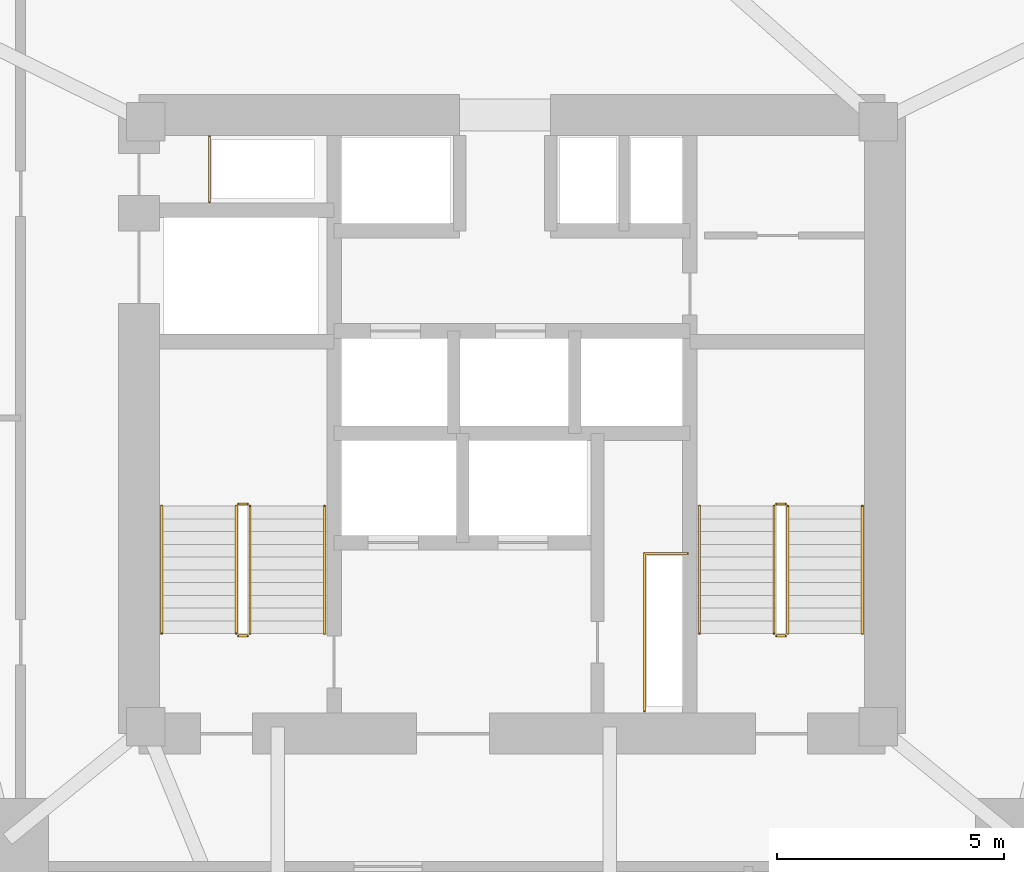
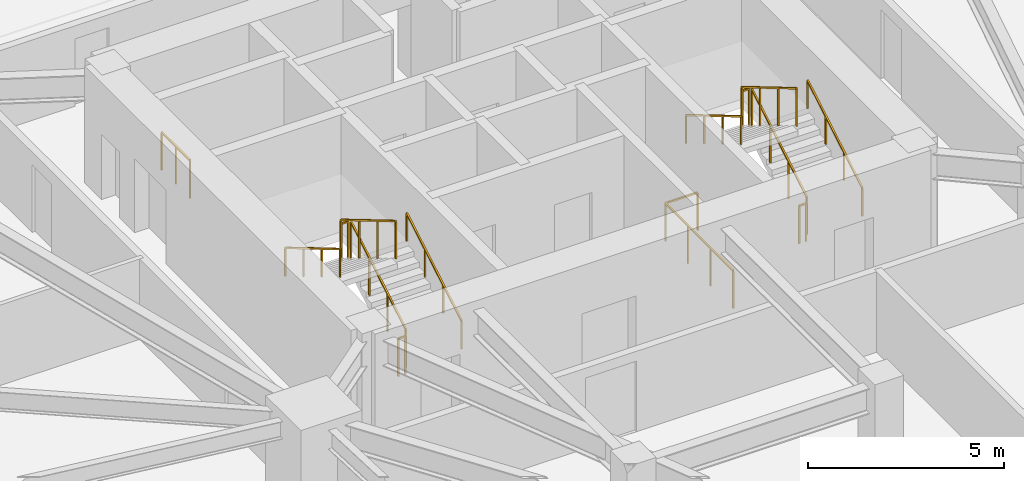
# One storey, part 20 of 21: 14 railings.
"""IFC4 building model written with IfcOpenShell, lengths in metres."""

from ifc_helpers import new_model, si_unit, direction, frame, origin, origin_2d, place, context, subcontext, project, spatial, rectangle, extrude, material, type_object, element, save


model = new_model("IFC4")

# Units and contexts
model_context = context("Model", 3, precision=1e-05, world=origin(), true_north=direction((0.0, 1.0)))
body_context = subcontext(model_context, "Body", "Model", "MODEL_VIEW")
ifc_project = project(units=[si_unit("LENGTHUNIT", "METRE"), si_unit("AREAUNIT", "SQUARE_METRE"), si_unit("VOLUMEUNIT", "CUBIC_METRE"), si_unit("PLANEANGLEUNIT", "RADIAN"), si_unit("MASSUNIT", "GRAM", prefix="KILO")], contexts=[model_context])

# Site, building, storey
site_placement = place(None, origin())
site = spatial("IfcSite", under=ifc_project, at=site_placement, CompositionType="ELEMENT")
building_placement = place(site_placement, origin())
building = spatial("IfcBuilding", under=site, at=building_placement, Name="Talyreon Biosciences Tower", CompositionType="ELEMENT")
storey_placement = place(building_placement, frame((0.0, 0.0, 55.64990234375)))
storey = spatial("IfcBuildingStorey", under=building, at=storey_placement, Name="L14", CompositionType="ELEMENT", Elevation=55.64990234375)

# Railings
ifc_material_1 = material(Name="Brushed stainless-steel tubular handrail", Category="steel")
railing_type_1 = type_object("IfcRailingType", Name="StairWallHandrail_900", PredefinedType="HANDRAIL", material=ifc_material_1)
railing_1_placement = place(storey_placement, frame((61.8798828125, 63.39990234375, 0.166015625)))
element("IfcRailing", 1, at=railing_1_placement, inside=storey, type_object=railing_type_1, Name="L14 ST-1 stair handrail 1", PredefinedType="HANDRAIL", context=body_context, shape_type="SweptSolid", body=[
    extrude(rectangle(XDim=0.048095703125, YDim=0.048095703125, at=origin_2d()), frame((0.0, 0.0, 0.8759765625), z_axis=(0.0, 0.860306154799, 0.50977771628), x_axis=(-1.0, 0.0, 0.0)), (0.0, 0.0, 1.0), 3.254638671875),
    extrude(rectangle(XDim=0.0419921875, YDim=0.0419921875, at=origin_2d()), origin(), (0.0, 0.0, 1.0), 0.851806640625),
    extrude(rectangle(XDim=0.0419921875, YDim=0.0419921875, at=origin_2d()), frame((0.0, 0.933349609375, 0.552978515625)), (0.0, 0.0, 1.0), 0.851806640625),
    extrude(rectangle(XDim=0.0419921875, YDim=0.0419921875, at=origin_2d()), frame((0.0, 1.86669921875, 1.106201171875)), (0.0, 0.0, 1.0), 0.851806640625),
    extrude(rectangle(XDim=0.0419921875, YDim=0.0419921875, at=origin_2d()), frame((0.0, 2.800048828125, 1.6591796875)), (0.0, 0.0, 1.0), 0.851806640625),
])
railing_2_placement = place(storey_placement, frame((58.300048828125, 66.199951171875, 1.990966796875)))
element("IfcRailing", 2, at=railing_2_placement, inside=storey, type_object=railing_type_1, Name="L14 ST-1 stair handrail 2", PredefinedType="HANDRAIL", context=body_context, shape_type="SweptSolid", body=[
    extrude(rectangle(XDim=0.048095703125, YDim=0.048095703125, at=origin_2d()), frame((0.0, 0.0, 0.8759765625), z_axis=(0.0, -0.860306154799, 0.50977771628), x_axis=(1.0, 0.0, 0.0)), (0.0, 0.0, 1.0), 3.254638671875),
    extrude(rectangle(XDim=0.0419921875, YDim=0.0419921875, at=origin_2d()), origin(), (0.0, 0.0, 1.0), 0.851806640625),
    extrude(rectangle(XDim=0.0419921875, YDim=0.0419921875, at=origin_2d()), frame((0.0, -0.933349609375, 0.552978515625)), (0.0, 0.0, 1.0), 0.851806640625),
    extrude(rectangle(XDim=0.0419921875, YDim=0.0419921875, at=origin_2d()), frame((0.0, -1.86669921875, 1.106201171875)), (0.0, 0.0, 1.0), 0.851806640625),
    extrude(rectangle(XDim=0.0419921875, YDim=0.0419921875, at=origin_2d()), frame((0.0, -2.800048828125, 1.6591796875)), (0.0, 0.0, 1.0), 0.851806640625),
])
railing_3_placement = place(storey_placement, frame((73.699951171875, 63.39990234375, 0.166015625)))
element("IfcRailing", 3, at=railing_3_placement, inside=storey, type_object=railing_type_1, Name="L14 ST-2 stair handrail 1", PredefinedType="HANDRAIL", context=body_context, shape_type="SweptSolid", body=[
    extrude(rectangle(XDim=0.048095703125, YDim=0.048095703125, at=origin_2d()), frame((0.0, 0.0, 0.8759765625), z_axis=(0.0, 0.860306154799, 0.50977771628), x_axis=(-1.0, 0.0, 0.0)), (0.0, 0.0, 1.0), 3.254638671875),
    extrude(rectangle(XDim=0.0419921875, YDim=0.0419921875, at=origin_2d()), origin(), (0.0, 0.0, 1.0), 0.851806640625),
    extrude(rectangle(XDim=0.0419921875, YDim=0.0419921875, at=origin_2d()), frame((0.0, 0.933349609375, 0.552978515625)), (0.0, 0.0, 1.0), 0.851806640625),
    extrude(rectangle(XDim=0.0419921875, YDim=0.0419921875, at=origin_2d()), frame((0.0, 1.86669921875, 1.106201171875)), (0.0, 0.0, 1.0), 0.851806640625),
    extrude(rectangle(XDim=0.0419921875, YDim=0.0419921875, at=origin_2d()), frame((0.0, 2.800048828125, 1.6591796875)), (0.0, 0.0, 1.0), 0.851806640625),
])
railing_4_placement = place(storey_placement, frame((70.1201171875, 66.199951171875, 1.990966796875)))
element("IfcRailing", 4, at=railing_4_placement, inside=storey, type_object=railing_type_1, Name="L14 ST-2 stair handrail 2", PredefinedType="HANDRAIL", context=body_context, shape_type="SweptSolid", body=[
    extrude(rectangle(XDim=0.048095703125, YDim=0.048095703125, at=origin_2d()), frame((0.0, 0.0, 0.8759765625), z_axis=(0.0, -0.860306154799, 0.50977771628), x_axis=(1.0, 0.0, 0.0)), (0.0, 0.0, 1.0), 3.254638671875),
    extrude(rectangle(XDim=0.0419921875, YDim=0.0419921875, at=origin_2d()), origin(), (0.0, 0.0, 1.0), 0.851806640625),
    extrude(rectangle(XDim=0.0419921875, YDim=0.0419921875, at=origin_2d()), frame((0.0, -0.933349609375, 0.552978515625)), (0.0, 0.0, 1.0), 0.851806640625),
    extrude(rectangle(XDim=0.0419921875, YDim=0.0419921875, at=origin_2d()), frame((0.0, -1.86669921875, 1.106201171875)), (0.0, 0.0, 1.0), 0.851806640625),
    extrude(rectangle(XDim=0.0419921875, YDim=0.0419921875, at=origin_2d()), frame((0.0, -2.800048828125, 1.6591796875)), (0.0, 0.0, 1.0), 0.851806640625),
])
ifc_material_2 = material(Name="Painted galvanised steel post-and-rail balustrade", Category="steel")
railing_type_2 = type_object("IfcRailingType", Name="TerraceStairGuard_1200", PredefinedType="GUARDRAIL", material=ifc_material_2)
railing_5_placement = place(storey_placement, frame((60.239990234375, 63.39990234375, 0.166015625)))
element("IfcRailing", 5, at=railing_5_placement, inside=storey, type_object=railing_type_2, Name="L14 ST-1 stair guard 1", PredefinedType="GUARDRAIL", context=body_context, shape_type="SweptSolid", body=[
    extrude(rectangle(XDim=0.048095703125, YDim=0.048095703125, at=origin_2d()), frame((0.0, 0.0, 1.17578125), z_axis=(0.0, 0.860306154799, 0.50977771628), x_axis=(-1.0, 0.0, 0.0)), (0.0, 0.0, 1.0), 3.254638671875),
    extrude(rectangle(XDim=0.0419921875, YDim=0.0419921875, at=origin_2d()), origin(), (0.0, 0.0, 1.0), 1.15185546875),
    extrude(rectangle(XDim=0.0419921875, YDim=0.0419921875, at=origin_2d()), frame((0.0, 0.933349609375, 0.552978515625)), (0.0, 0.0, 1.0), 1.15185546875),
    extrude(rectangle(XDim=0.0419921875, YDim=0.0419921875, at=origin_2d()), frame((0.0, 1.86669921875, 1.106201171875)), (0.0, 0.0, 1.0), 1.15185546875),
    extrude(rectangle(XDim=0.0419921875, YDim=0.0419921875, at=origin_2d()), frame((0.0, 2.800048828125, 1.6591796875)), (0.0, 0.0, 1.0), 1.15185546875),
])
railing_6_placement = place(storey_placement, frame((60.18994140625, 66.25, 1.8251953125)))
element("IfcRailing", 6, at=railing_6_placement, inside=storey, type_object=railing_type_2, Name="L14 ST-1 stair guard 2", PredefinedType="GUARDRAIL", context=body_context, shape_type="SweptSolid", body=[
    extrude(rectangle(XDim=0.048095703125, YDim=0.048095703125, at=origin_2d()), frame((0.0, 0.0, 1.17578125), z_axis=(-1.0, 0.0, 0.0), x_axis=(0.0, -1.0, 0.0)), (0.0, 0.0, 1.0), 0.199951171875),
    extrude(rectangle(XDim=0.0419921875, YDim=0.0419921875, at=origin_2d()), origin(), (0.0, 0.0, 1.0), 1.15185546875),
    extrude(rectangle(XDim=0.0419921875, YDim=0.0419921875, at=origin_2d()), frame((-0.199951171875, 0.0, 0.0)), (0.0, 0.0, 1.0), 1.15185546875),
])
railing_7_placement = place(storey_placement, frame((59.93994140625, 66.199951171875, 1.990966796875)))
element("IfcRailing", 7, at=railing_7_placement, inside=storey, type_object=railing_type_2, Name="L14 ST-1 stair guard 3", PredefinedType="GUARDRAIL", context=body_context, shape_type="SweptSolid", body=[
    extrude(rectangle(XDim=0.048095703125, YDim=0.048095703125, at=origin_2d()), frame((0.0, 0.0, 1.17578125), z_axis=(0.0, -0.860306154799, 0.50977771628), x_axis=(1.0, 0.0, 0.0)), (0.0, 0.0, 1.0), 3.254638671875),
    extrude(rectangle(XDim=0.0419921875, YDim=0.0419921875, at=origin_2d()), origin(), (0.0, 0.0, 1.0), 1.15185546875),
    extrude(rectangle(XDim=0.0419921875, YDim=0.0419921875, at=origin_2d()), frame((0.0, -0.933349609375, 0.552978515625)), (0.0, 0.0, 1.0), 1.15185546875),
    extrude(rectangle(XDim=0.0419921875, YDim=0.0419921875, at=origin_2d()), frame((0.0, -1.86669921875, 1.106201171875)), (0.0, 0.0, 1.0), 1.15185546875),
    extrude(rectangle(XDim=0.0419921875, YDim=0.0419921875, at=origin_2d()), frame((0.0, -2.800048828125, 1.6591796875)), (0.0, 0.0, 1.0), 1.15185546875),
])
railing_8_placement = place(storey_placement, frame((60.18994140625, 63.35009765625, 0.0)))
element("IfcRailing", 8, at=railing_8_placement, inside=storey, type_object=railing_type_2, Name="L14 ST-1 stair guard 4", PredefinedType="GUARDRAIL", context=body_context, shape_type="SweptSolid", body=[
    extrude(rectangle(XDim=0.048095703125, YDim=0.048095703125, at=origin_2d()), frame((0.0, 0.0, 1.17578125), z_axis=(-1.0, 0.0, 0.0), x_axis=(0.0, -1.0, 0.0)), (0.0, 0.0, 1.0), 0.199951171875),
    extrude(rectangle(XDim=0.0419921875, YDim=0.0419921875, at=origin_2d()), origin(), (0.0, 0.0, 1.0), 1.15185546875),
    extrude(rectangle(XDim=0.0419921875, YDim=0.0419921875, at=origin_2d()), frame((-0.199951171875, 0.0, 0.0)), (0.0, 0.0, 1.0), 1.15185546875),
])
railing_9_placement = place(storey_placement, frame((72.06005859375, 63.39990234375, 0.166015625)))
element("IfcRailing", 9, at=railing_9_placement, inside=storey, type_object=railing_type_2, Name="L14 ST-2 stair guard 1", PredefinedType="GUARDRAIL", context=body_context, shape_type="SweptSolid", body=[
    extrude(rectangle(XDim=0.048095703125, YDim=0.048095703125, at=origin_2d()), frame((0.0, 0.0, 1.17578125), z_axis=(0.0, 0.860306154799, 0.50977771628), x_axis=(-1.0, 0.0, 0.0)), (0.0, 0.0, 1.0), 3.254638671875),
    extrude(rectangle(XDim=0.0419921875, YDim=0.0419921875, at=origin_2d()), origin(), (0.0, 0.0, 1.0), 1.15185546875),
    extrude(rectangle(XDim=0.0419921875, YDim=0.0419921875, at=origin_2d()), frame((0.0, 0.933349609375, 0.552978515625)), (0.0, 0.0, 1.0), 1.15185546875),
    extrude(rectangle(XDim=0.0419921875, YDim=0.0419921875, at=origin_2d()), frame((0.0, 1.86669921875, 1.106201171875)), (0.0, 0.0, 1.0), 1.15185546875),
    extrude(rectangle(XDim=0.0419921875, YDim=0.0419921875, at=origin_2d()), frame((0.0, 2.800048828125, 1.6591796875)), (0.0, 0.0, 1.0), 1.15185546875),
])
railing_10_placement = place(storey_placement, frame((72.010009765625, 66.25, 1.8251953125)))
element("IfcRailing", 10, at=railing_10_placement, inside=storey, type_object=railing_type_2, Name="L14 ST-2 stair guard 2", PredefinedType="GUARDRAIL", context=body_context, shape_type="SweptSolid", body=[
    extrude(rectangle(XDim=0.048095703125, YDim=0.048095703125, at=origin_2d()), frame((0.0, 0.0, 1.17578125), z_axis=(-1.0, 0.0, 0.0), x_axis=(0.0, -1.0, 0.0)), (0.0, 0.0, 1.0), 0.199951171875),
    extrude(rectangle(XDim=0.0419921875, YDim=0.0419921875, at=origin_2d()), origin(), (0.0, 0.0, 1.0), 1.15185546875),
    extrude(rectangle(XDim=0.0419921875, YDim=0.0419921875, at=origin_2d()), frame((-0.199951171875, 0.0, 0.0)), (0.0, 0.0, 1.0), 1.15185546875),
])
railing_11_placement = place(storey_placement, frame((71.760009765625, 66.199951171875, 1.990966796875)))
element("IfcRailing", 11, at=railing_11_placement, inside=storey, type_object=railing_type_2, Name="L14 ST-2 stair guard 3", PredefinedType="GUARDRAIL", context=body_context, shape_type="SweptSolid", body=[
    extrude(rectangle(XDim=0.048095703125, YDim=0.048095703125, at=origin_2d()), frame((0.0, 0.0, 1.17578125), z_axis=(0.0, -0.860306154799, 0.50977771628), x_axis=(1.0, 0.0, 0.0)), (0.0, 0.0, 1.0), 3.254638671875),
    extrude(rectangle(XDim=0.0419921875, YDim=0.0419921875, at=origin_2d()), origin(), (0.0, 0.0, 1.0), 1.15185546875),
    extrude(rectangle(XDim=0.0419921875, YDim=0.0419921875, at=origin_2d()), frame((0.0, -0.933349609375, 0.552978515625)), (0.0, 0.0, 1.0), 1.15185546875),
    extrude(rectangle(XDim=0.0419921875, YDim=0.0419921875, at=origin_2d()), frame((0.0, -1.86669921875, 1.106201171875)), (0.0, 0.0, 1.0), 1.15185546875),
    extrude(rectangle(XDim=0.0419921875, YDim=0.0419921875, at=origin_2d()), frame((0.0, -2.800048828125, 1.6591796875)), (0.0, 0.0, 1.0), 1.15185546875),
])
railing_12_placement = place(storey_placement, frame((72.010009765625, 63.35009765625, 0.0)))
element("IfcRailing", 12, at=railing_12_placement, inside=storey, type_object=railing_type_2, Name="L14 ST-2 stair guard 4", PredefinedType="GUARDRAIL", context=body_context, shape_type="SweptSolid", body=[
    extrude(rectangle(XDim=0.048095703125, YDim=0.048095703125, at=origin_2d()), frame((0.0, 0.0, 1.17578125), z_axis=(-1.0, 0.0, 0.0), x_axis=(0.0, -1.0, 0.0)), (0.0, 0.0, 1.0), 0.199951171875),
    extrude(rectangle(XDim=0.0419921875, YDim=0.0419921875, at=origin_2d()), origin(), (0.0, 0.0, 1.0), 1.15185546875),
    extrude(rectangle(XDim=0.0419921875, YDim=0.0419921875, at=origin_2d()), frame((-0.199951171875, 0.0, 0.0)), (0.0, 0.0, 1.0), 1.15185546875),
])
railing_13_placement = place(storey_placement, frame((59.35009765625, 72.8798828125, 0.0)))
element("IfcRailing", 13, at=railing_13_placement, inside=storey, type_object=railing_type_2, Name="L14 Exhaust Riser Maintenance Guardrail", PredefinedType="GUARDRAIL", context=body_context, shape_type="SweptSolid", body=[
    extrude(rectangle(XDim=0.048095703125, YDim=0.048095703125, at=origin_2d()), frame((0.0, 0.0, 1.17578125), z_axis=(0.0, 1.0, 0.0), x_axis=(-1.0, 0.0, 0.0)), (0.0, 0.0, 1.0), 1.4501953125),
    extrude(rectangle(XDim=0.0419921875, YDim=0.0419921875, at=origin_2d()), origin(), (0.0, 0.0, 1.0), 1.15185546875),
    extrude(rectangle(XDim=0.0419921875, YDim=0.0419921875, at=origin_2d()), frame((0.0, 0.72509765625, 0.0)), (0.0, 0.0, 1.0), 1.15185546875),
    extrude(rectangle(XDim=0.0419921875, YDim=0.0419921875, at=origin_2d()), frame((0.0, 1.4501953125, 0.0)), (0.0, 0.0, 1.0), 1.15185546875),
])
railing_14_placement = place(storey_placement, frame((68.909912109375, 61.699951171875, 0.0)))
element("IfcRailing", 14, at=railing_14_placement, inside=storey, type_object=railing_type_2, Name="L14 Electrical Riser Maintenance Guardrail", PredefinedType="GUARDRAIL", context=body_context, shape_type="SweptSolid", body=[
    extrude(rectangle(XDim=0.048095703125, YDim=0.048095703125, at=origin_2d()), frame((0.0, 0.0, 1.17578125), z_axis=(0.0, 1.0, 0.0), x_axis=(-1.0, 0.0, 0.0)), (0.0, 0.0, 1.0), 3.4599609375),
    extrude(rectangle(XDim=0.048095703125, YDim=0.048095703125, at=origin_2d()), frame((0.0, 3.4599609375, 1.17578125), z_axis=(1.0, 0.0, 0.0), x_axis=(0.0, 1.0, 0.0)), (0.0, 0.0, 1.0), 0.9501953125),
    extrude(rectangle(XDim=0.0419921875, YDim=0.0419921875, at=origin_2d()), origin(), (0.0, 0.0, 1.0), 1.15185546875),
    extrude(rectangle(XDim=0.0419921875, YDim=0.0419921875, at=origin_2d()), frame((0.0, 1.1533203125, 0.0)), (0.0, 0.0, 1.0), 1.15185546875),
    extrude(rectangle(XDim=0.0419921875, YDim=0.0419921875, at=origin_2d()), frame((0.0, 2.306640625, 0.0)), (0.0, 0.0, 1.0), 1.15185546875),
    extrude(rectangle(XDim=0.0419921875, YDim=0.0419921875, at=origin_2d()), frame((0.0, 3.4599609375, 0.0)), (0.0, 0.0, 1.0), 1.15185546875),
    extrude(rectangle(XDim=0.0419921875, YDim=0.0419921875, at=origin_2d()), frame((0.9501953125, 3.4599609375, 0.0)), (0.0, 0.0, 1.0), 1.15185546875),
])

save(model, "model.ifc")
